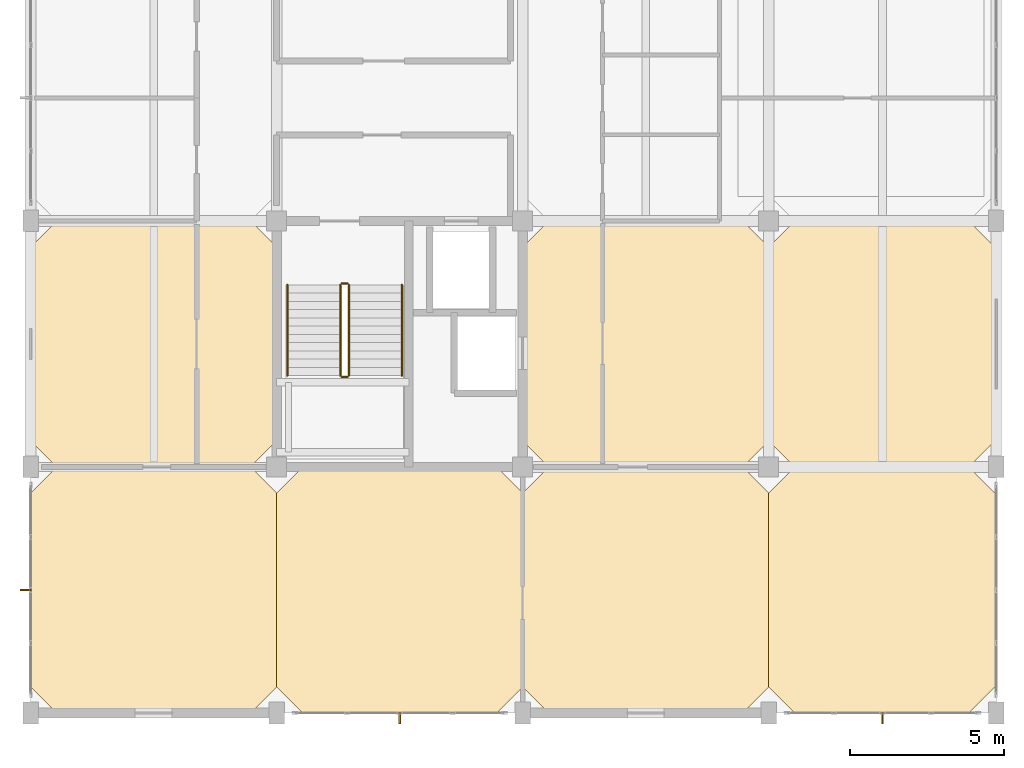
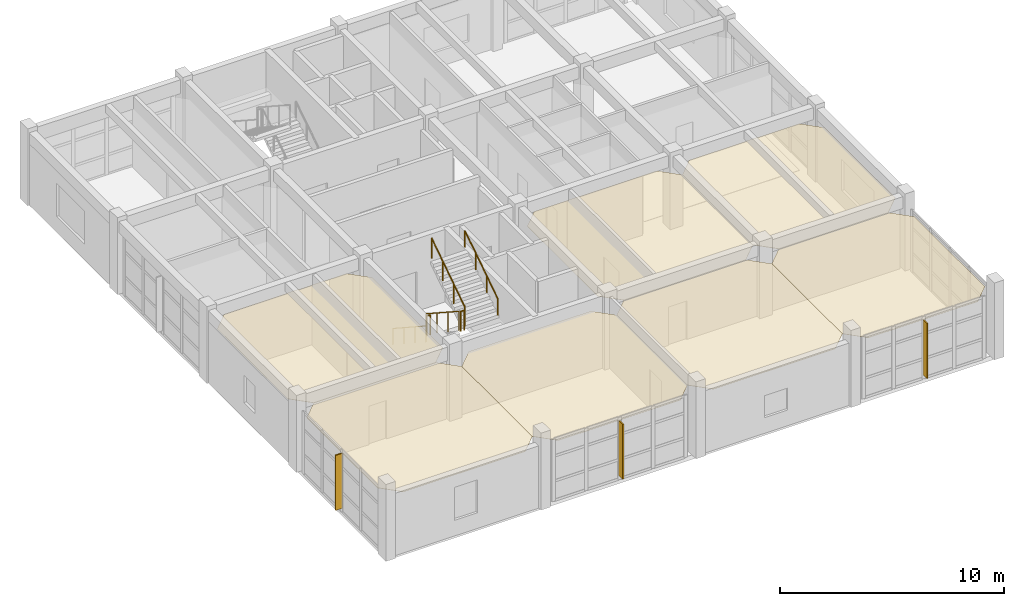
# One storey, part 17 of 18: 7 coverings, 6 railings, 3 shading devices.
"""IFC4 building model written with IfcOpenShell, lengths in metres."""

from ifc_helpers import new_model, si_unit, direction, frame, origin, origin_2d, place, context, subcontext, project, spatial, polyline, rectangle, circle, outline, extrude, material, layer, layer_set, type_object, element, save


model = new_model("IFC4")

# Units and contexts
model_context = context("Model", 3, precision=1e-05, world=origin(), true_north=direction((0.0, 1.0)))
body_context = subcontext(model_context, "Body", "Model", "MODEL_VIEW")
ifc_project = project(units=[si_unit("LENGTHUNIT", "METRE"), si_unit("AREAUNIT", "SQUARE_METRE"), si_unit("VOLUMEUNIT", "CUBIC_METRE"), si_unit("PLANEANGLEUNIT", "RADIAN"), si_unit("MASSUNIT", "GRAM", prefix="KILO")], contexts=[model_context])

# Site, building, storey
site_placement = place(None, origin())
site = spatial("IfcSite", under=ifc_project, at=site_placement, CompositionType="ELEMENT")
building_placement = place(site_placement, origin())
building = spatial("IfcBuilding", under=site, at=building_placement, Name="Canggui Botanical Conservatory", CompositionType="ELEMENT")
storey_placement = place(building_placement, frame((0.0, 0.0, 52.800048828125)))
storey = spatial("IfcBuildingStorey", under=building, at=storey_placement, Name="L13", CompositionType="ELEMENT", Elevation=52.800048828125)

# Coverings
ifc_material_1 = material(Name="Mineral Fibre Acoustic Board")
ifc_layer_1 = layer(ifc_material_1, 0.014892578125, Name="Mineral Fibre Acoustic Board")
ifc_layer_set_1 = layer_set([ifc_layer_1], Name="Mineral Fibre Acoustic Board")
covering_type_1 = type_object("IfcCoveringType", Name="COV-CEIL-15", PredefinedType="CEILING", material=ifc_layer_set_1)
covering_1_placement = place(storey_placement, frame((0.0, 0.0, 3.195068359375)))
element("IfcCovering", 1, at=covering_1_placement, inside=storey, type_object=covering_type_1, Name="Suspended Acoustic Ceiling L13-146-42", PredefinedType="CEILING", context=body_context, shape_type="SweptSolid", body=[
    extrude(outline(polyline([(146.85009765625, 42.0), (153.14990234375, 42.0), (154.0, 42.85009765625), (154.0, 49.14990234375), (153.14990234375, 50.0), (146.85009765625, 50.0), (146.0, 49.14990234375), (146.0, 42.85009765625), (146.85009765625, 42.0)])), origin(), (0.0, 0.0, 1.0), 0.014892578125),
])
covering_2_placement = place(storey_placement, frame((0.0, 0.0, 3.195068359375)))
element("IfcCovering", 2, at=covering_2_placement, inside=storey, type_object=covering_type_1, Name="Suspended Acoustic Ceiling L13-154-34", PredefinedType="CEILING", context=body_context, shape_type="SweptSolid", body=[
    extrude(outline(polyline([(154.85009765625, 34.0), (161.14990234375, 34.0), (162.0, 34.85009765625), (162.0, 41.14990234375), (161.14990234375, 42.0), (154.85009765625, 42.0), (154.0, 41.14990234375), (154.0, 34.85009765625), (154.85009765625, 34.0)])), origin(), (0.0, 0.0, 1.0), 0.014892578125),
])
covering_3_placement = place(storey_placement, frame((0.0, 0.0, 3.195068359375)))
element("IfcCovering", 3, at=covering_3_placement, inside=storey, type_object=covering_type_1, Name="Suspended Acoustic Ceiling L13-162-42", PredefinedType="CEILING", context=body_context, shape_type="SweptSolid", body=[
    extrude(outline(polyline([(162.85009765625, 42.0), (169.14990234375, 42.0), (170.0, 42.85009765625), (170.0, 49.14990234375), (169.14990234375, 50.0), (162.85009765625, 50.0), (162.0, 49.14990234375), (162.0, 42.85009765625), (162.85009765625, 42.0)])), origin(), (0.0, 0.0, 1.0), 0.014892578125),
])
covering_4_placement = place(storey_placement, frame((0.0, 0.0, 3.195068359375)))
element("IfcCovering", 4, at=covering_4_placement, inside=storey, type_object=covering_type_1, Name="Suspended Acoustic Ceiling L13-170-34", PredefinedType="CEILING", context=body_context, shape_type="SweptSolid", body=[
    extrude(outline(polyline([(170.85009765625, 34.0), (176.5, 34.0), (177.35009765625, 34.85009765625), (177.35009765625, 41.14990234375), (176.5, 42.0), (170.85009765625, 42.0), (170.0, 41.14990234375), (170.0, 34.85009765625), (170.85009765625, 34.0)])), origin(), (0.0, 0.0, 1.0), 0.014892578125),
])
ifc_material_2 = material(Name="Perforated Gypsum Acoustic Panel")
ifc_layer_2 = layer(ifc_material_2, 0.02001953125, Name="Perforated Gypsum Acoustic Panel")
ifc_layer_set_2 = layer_set([ifc_layer_2], Name="Perforated Gypsum Acoustic Panel")
covering_type_2 = type_object("IfcCoveringType", Name="COV-CEIL-20", PredefinedType="CEILING", material=ifc_layer_set_2)
covering_5_placement = place(storey_placement, frame((0.0, 0.0, 3.18994140625)))
element("IfcCovering", 5, at=covering_5_placement, inside=storey, type_object=covering_type_2, Name="Suspended Acoustic Ceiling L13-146-34", PredefinedType="CEILING", context=body_context, shape_type="SweptSolid", body=[
    extrude(outline(polyline([(146.85009765625, 34.0), (153.14990234375, 34.0), (154.0, 34.85009765625), (154.0, 41.14990234375), (153.14990234375, 42.0), (146.85009765625, 42.0), (146.0, 41.14990234375), (146.0, 34.85009765625), (146.85009765625, 34.0)])), origin(), (0.0, 0.0, 1.0), 0.02001953125),
])
covering_6_placement = place(storey_placement, frame((0.0, 0.0, 3.18994140625)))
element("IfcCovering", 6, at=covering_6_placement, inside=storey, type_object=covering_type_2, Name="Suspended Acoustic Ceiling L13-162-34", PredefinedType="CEILING", context=body_context, shape_type="SweptSolid", body=[
    extrude(outline(polyline([(162.85009765625, 34.0), (169.14990234375, 34.0), (170.0, 34.85009765625), (170.0, 41.14990234375), (169.14990234375, 42.0), (162.85009765625, 42.0), (162.0, 41.14990234375), (162.0, 34.85009765625), (162.85009765625, 34.0)])), origin(), (0.0, 0.0, 1.0), 0.02001953125),
])
covering_7_placement = place(storey_placement, frame((0.0, 0.0, 3.18994140625)))
element("IfcCovering", 7, at=covering_7_placement, inside=storey, type_object=covering_type_2, Name="Suspended Acoustic Ceiling L13-170-42", PredefinedType="CEILING", context=body_context, shape_type="SweptSolid", body=[
    extrude(outline(polyline([(170.85009765625, 42.0), (176.5, 42.0), (177.35009765625, 42.85009765625), (177.35009765625, 49.14990234375), (176.5, 50.0), (170.85009765625, 50.0), (170.0, 49.14990234375), (170.0, 42.85009765625), (170.85009765625, 42.0)])), origin(), (0.0, 0.0, 1.0), 0.02001953125),
])

# Railings
ifc_material_3 = material(Name="Stainless Steel 304", Category="steel")
railing_type_1 = type_object("IfcRailingType", Name="RAIL-GUARD-1100", PredefinedType="BALUSTRADE", material=ifc_material_3)
railing_1_placement = place(storey_placement, frame((156.070068359375, 47.919921875, 0.175048828125)))
element("IfcRailing", 8, at=railing_1_placement, inside=storey, type_object=railing_type_1, Name="L13 ST-T1 stair guard 1", PredefinedType="BALUSTRADE", context=body_context, shape_type="SweptSolid", body=[
    extrude(circle(Radius=0.02392578125, at=origin_2d()), frame((0.0, 0.0, 1.076171875), z_axis=(0.0, -0.837324922549, 0.546705564338), x_axis=(1.0, 0.0, 0.0)), (0.0, 0.0, 1.0), 3.520751953125),
    extrude(circle(Radius=0.02099609375, at=origin_2d()), origin(), (0.0, 0.0, 1.0), 1.052001953125),
    extrude(circle(Radius=0.02099609375, at=origin_2d()), frame((0.0, -0.982666015625, 0.6416015625)), (0.0, 0.0, 1.0), 1.052001953125),
    extrude(circle(Radius=0.02099609375, at=origin_2d()), frame((0.0, -1.96533203125, 1.283203125)), (0.0, 0.0, 1.0), 1.052001953125),
    extrude(circle(Radius=0.02099609375, at=origin_2d()), frame((0.0, -2.947998046875, 1.9248046875)), (0.0, 0.0, 1.0), 1.052001953125),
])
railing_2_placement = place(storey_placement, frame((156.1201171875, 44.922119140625, 2.099853515625)))
element("IfcRailing", 9, at=railing_2_placement, inside=storey, type_object=railing_type_1, Name="L13 ST-T1 stair guard 2", PredefinedType="BALUSTRADE", context=body_context, shape_type="SweptSolid", body=[
    extrude(circle(Radius=0.02392578125, at=origin_2d()), frame((0.0, 0.0, 1.076171875), z_axis=(1.0, 0.0, 0.0), x_axis=(0.0, 1.0, 0.0)), (0.0, 0.0, 1.0), 0.179931640625),
    extrude(circle(Radius=0.02099609375, at=origin_2d()), origin(), (0.0, 0.0, 1.0), 1.052001953125),
    extrude(circle(Radius=0.02099609375, at=origin_2d()), frame((0.179931640625, 0.0, 0.0)), (0.0, 0.0, 1.0), 1.052001953125),
])
railing_3_placement = place(storey_placement, frame((156.35009765625, 44.971923828125, 2.27490234375)))
element("IfcRailing", 10, at=railing_3_placement, inside=storey, type_object=railing_type_1, Name="L13 ST-T1 stair guard 3", PredefinedType="BALUSTRADE", context=body_context, shape_type="SweptSolid", body=[
    extrude(circle(Radius=0.02392578125, at=origin_2d()), frame((0.0, 0.0, 1.076171875), z_axis=(0.0, 0.837293178872, 0.54675417933), x_axis=(-1.0, 0.0, 0.0)), (0.0, 0.0, 1.0), 3.520751953125),
    extrude(circle(Radius=0.02099609375, at=origin_2d()), origin(), (0.0, 0.0, 1.0), 1.052001953125),
    extrude(circle(Radius=0.02099609375, at=origin_2d()), frame((0.0, 0.982666015625, 0.6416015625)), (0.0, 0.0, 1.0), 1.052001953125),
    extrude(circle(Radius=0.02099609375, at=origin_2d()), frame((0.0, 1.96533203125, 1.283447265625)), (0.0, 0.0, 1.0), 1.052001953125),
    extrude(circle(Radius=0.02099609375, at=origin_2d()), frame((0.0, 2.947998046875, 1.925048828125)), (0.0, 0.0, 1.0), 1.052001953125),
])
railing_4_placement = place(storey_placement, frame((156.1201171875, 47.969970703125, 0.0)))
element("IfcRailing", 11, at=railing_4_placement, inside=storey, type_object=railing_type_1, Name="L13 ST-T1 stair guard 4", PredefinedType="BALUSTRADE", context=body_context, shape_type="SweptSolid", body=[
    extrude(circle(Radius=0.02392578125, at=origin_2d()), frame((0.0, 0.0, 1.076171875), z_axis=(1.0, 0.0, 0.0), x_axis=(0.0, 1.0, 0.0)), (0.0, 0.0, 1.0), 0.179931640625),
    extrude(circle(Radius=0.02099609375, at=origin_2d()), origin(), (0.0, 0.0, 1.0), 1.052001953125),
    extrude(circle(Radius=0.02099609375, at=origin_2d()), frame((0.179931640625, 0.0, 0.0)), (0.0, 0.0, 1.0), 1.052001953125),
])
railing_type_2 = type_object("IfcRailingType", Name="RAIL-HAND-900", PredefinedType="HANDRAIL", material=ifc_material_3)
railing_5_placement = place(storey_placement, frame((154.35009765625, 47.919921875, 0.175048828125)))
element("IfcRailing", 12, at=railing_5_placement, inside=storey, type_object=railing_type_2, Name="L13 ST-T1 stair handrail 1", PredefinedType="HANDRAIL", context=body_context, shape_type="SweptSolid", body=[
    extrude(circle(Radius=0.02392578125, at=origin_2d()), frame((0.0, 0.0, 0.8759765625), z_axis=(0.0, -0.837324922549, 0.546705564338), x_axis=(1.0, 0.0, 0.0)), (0.0, 0.0, 1.0), 3.520751953125),
    extrude(circle(Radius=0.02099609375, at=origin_2d()), origin(), (0.0, 0.0, 1.0), 0.851806640625),
    extrude(circle(Radius=0.02099609375, at=origin_2d()), frame((0.0, -0.982666015625, 0.6416015625)), (0.0, 0.0, 1.0), 0.851806640625),
    extrude(circle(Radius=0.02099609375, at=origin_2d()), frame((0.0, -1.96533203125, 1.283203125)), (0.0, 0.0, 1.0), 0.851806640625),
    extrude(circle(Radius=0.02099609375, at=origin_2d()), frame((0.0, -2.947998046875, 1.9248046875)), (0.0, 0.0, 1.0), 0.851806640625),
])
railing_6_placement = place(storey_placement, frame((158.070068359375, 44.971923828125, 2.27490234375)))
element("IfcRailing", 13, at=railing_6_placement, inside=storey, type_object=railing_type_2, Name="L13 ST-T1 stair handrail 2", PredefinedType="HANDRAIL", context=body_context, shape_type="SweptSolid", body=[
    extrude(circle(Radius=0.02392578125, at=origin_2d()), frame((0.0, 0.0, 0.8759765625), z_axis=(0.0, 0.837293178872, 0.54675417933), x_axis=(-1.0, 0.0, 0.0)), (0.0, 0.0, 1.0), 3.520751953125),
    extrude(circle(Radius=0.02099609375, at=origin_2d()), origin(), (0.0, 0.0, 1.0), 0.851806640625),
    extrude(circle(Radius=0.02099609375, at=origin_2d()), frame((0.0, 0.982666015625, 0.6416015625)), (0.0, 0.0, 1.0), 0.851806640625),
    extrude(circle(Radius=0.02099609375, at=origin_2d()), frame((0.0, 1.96533203125, 1.283447265625)), (0.0, 0.0, 1.0), 0.851806640625),
    extrude(circle(Radius=0.02099609375, at=origin_2d()), frame((0.0, 2.947998046875, 1.925048828125)), (0.0, 0.0, 1.0), 0.851806640625),
])

# Shading devices
ifc_material_4 = material(Name="Anodised Aluminium", Category="aluminium")
shading_device_type = type_object("IfcShadingDeviceType", Name="SHD-FIN02", PredefinedType="AWNING", material=ifc_material_4)
for number, where, z_axis, x_axis, name in (
    (14, (173.699951171875, 33.8349609375, 0.199951171875), (0.0, 0.0, 1.0), (-1.0, 0.0, 0.0), "Solar Shading Fin CW-TWR-L13-01"),
    (15, (158.0, 33.8349609375, 0.199951171875), (0.0, 0.0, 1.0), (-1.0, 0.0, 0.0), "Solar Shading Fin CW-TWR-L13-03"),
    (16, (145.8349609375, 38.0, 0.199951171875), (0.0, 0.0, 1.0), (0.0, 1.0, 0.0), "Solar Shading Fin CW-TWR-L13-05"),
):
    element("IfcShadingDevice", number, at=place(storey_placement, frame(where, z_axis=z_axis, x_axis=x_axis)), inside=storey, type_object=shading_device_type, Name=name, PredefinedType="AWNING", context=body_context, shape_type="SweptSolid", body=[
        extrude(rectangle(XDim=0.06005859375, YDim=0.360107421875, at=origin_2d()), origin(), (0.0, 0.0, 1.0), 3.0),
    ])

save(model, "model.ifc")
